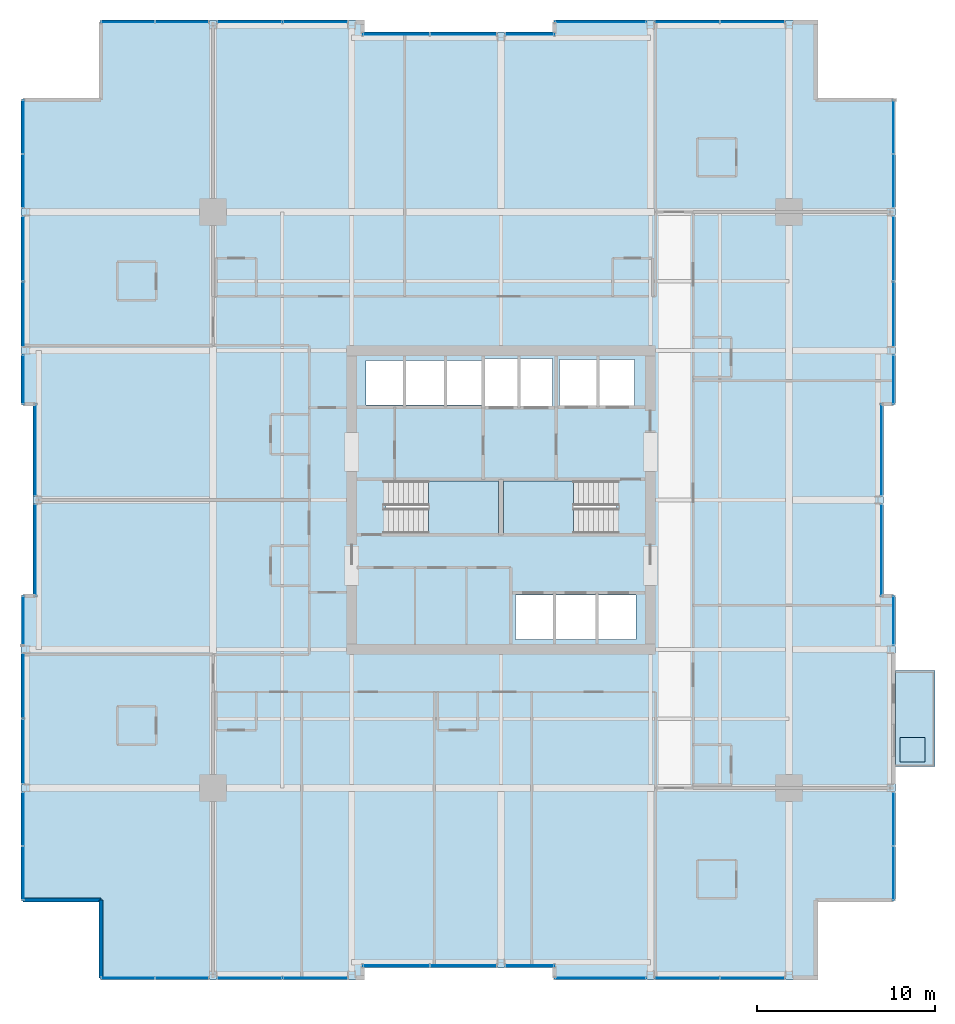
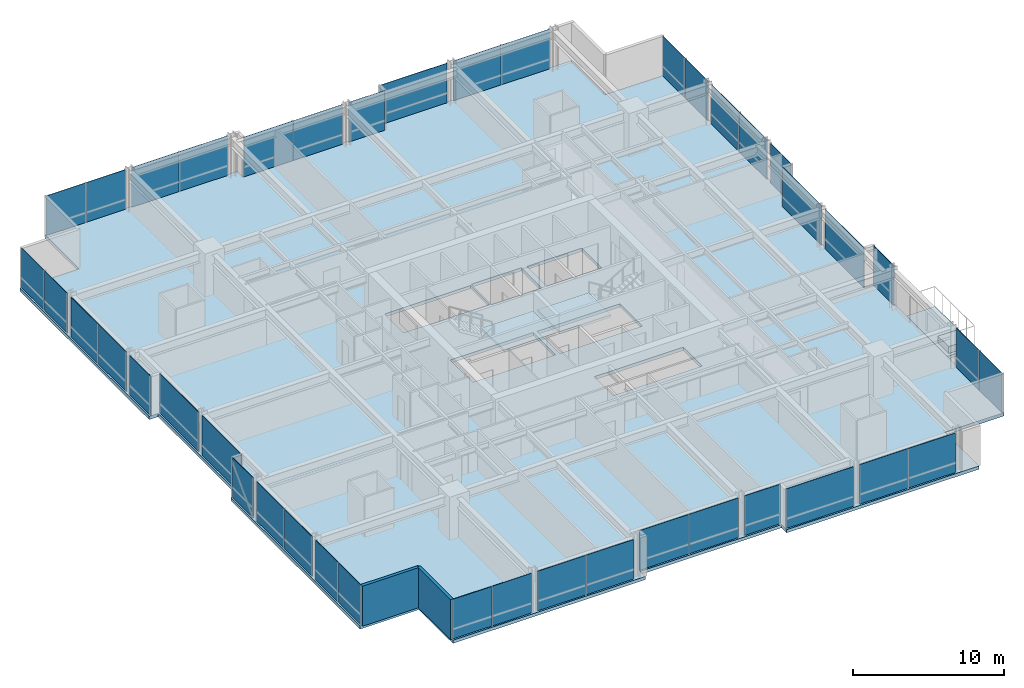
# One storey, part 27 of 34: 42 plates, 5 slabs, 2 walls, 29 elements without a shape of their own.
"""IFC4 building model written with IfcOpenShell, lengths in metres."""

from ifc_helpers import new_model, si_unit, direction, frame, frame_2d, origin, origin_2d, place, context, subcontext, project, spatial, polyline, rectangle, outline, extrude, material, layer, layer_set, type_object, element, aggregate, save


model = new_model("IFC4")

# Units and contexts
model_context = context("Model", 3, precision=1e-05, world=origin(), true_north=direction((0.0, 1.0)))
body_context = subcontext(model_context, "Body", "Model", "MODEL_VIEW")
ifc_project = project(units=[si_unit("LENGTHUNIT", "METRE"), si_unit("AREAUNIT", "SQUARE_METRE"), si_unit("VOLUMEUNIT", "CUBIC_METRE"), si_unit("PLANEANGLEUNIT", "RADIAN"), si_unit("MASSUNIT", "GRAM", prefix="KILO")], contexts=[model_context])

# Site, building, storey
site_placement = place(None, origin())
site = spatial("IfcSite", under=ifc_project, at=site_placement, CompositionType="ELEMENT")
building_placement = place(site_placement, origin())
building = spatial("IfcBuilding", under=site, at=building_placement, Name="Drelvath Grand Hotel", CompositionType="ELEMENT")
storey_placement = place(building_placement, frame((0.0, 0.0, 112.800048828125)))
storey = spatial("IfcBuildingStorey", under=building, at=storey_placement, Name="L28", CompositionType="ELEMENT", Elevation=112.800048828125)

# Slabs
ifc_material_1 = material(Name="Concrete f'c 40 MPa", Category="concrete")
ifc_layer_1 = layer(ifc_material_1, 0.239990234375)
ifc_layer_set_1 = layer_set([ifc_layer_1], Name="Concrete f'c 40 MPa")
slab_type_1 = type_object("IfcSlabType", Name="Cantilevered Tree Balcony Slab 240", PredefinedType="FLOOR", material=ifc_layer_set_1)
slab_1_placement = place(storey_placement, frame((0.0, 0.0, -0.239990234375)))
element("IfcSlab", 1, at=slab_1_placement, inside=storey, type_object=slab_type_1, Name="L28 Cantilevered Tree Balcony Slab 1", PredefinedType="FLOOR", context=body_context, shape_type="SweptSolid", body=[
    extrude(outline(polyline([(22.199951171875, 12.0), (24.39990234375, 12.0), (24.39990234375, 17.39990234375), (22.199951171875, 17.39990234375), (22.199951171875, 12.0)])), origin(), (0.0, 0.0, 1.0), 0.239990234375),
])
ifc_layer_2 = layer(ifc_material_1, 0.260009765625)
ifc_layer_set_2 = layer_set([ifc_layer_2], Name="Concrete f'c 40 MPa")
slab_type_2 = type_object("IfcSlabType", Name="Composite RC Floor Slab 260", PredefinedType="FLOOR", material=ifc_layer_set_2)
slab_2_placement = place(storey_placement, frame((0.0, 0.0, -0.260009765625)))
element("IfcSlab", 2, at=slab_2_placement, inside=storey, type_object=slab_type_2, Name="L28 Structural Floor Slab", PredefinedType="FLOOR", context=body_context, shape_type="SweptSolid", body=[
    extrude(outline(polyline([(-22.5, 0.0), (-7.800048828125, 0.0), (-7.800048828125, 0.679931640625), (3.0, 0.679931640625), (3.0, 0.0), (17.699951171875, 0.0), (17.699951171875, 4.5), (22.199951171875, 4.5), (22.199951171875, 21.60009765625), (21.52001953125, 21.60009765625), (21.52001953125, 32.39990234375), (22.199951171875, 32.39990234375), (22.199951171875, 49.5), (17.699951171875, 49.5), (17.699951171875, 54.0), (3.0, 54.0), (3.0, 53.320068359375), (-7.800048828125, 53.320068359375), (-7.800048828125, 54.0), (-22.5, 54.0), (-22.5, 49.5), (-27.0, 49.5), (-27.0, 32.39990234375), (-26.320068359375, 32.39990234375), (-26.320068359375, 21.60009765625), (-27.0, 21.60009765625), (-27.0, 4.5), (-22.5, 4.5), (-22.5, 0.0)]), holes=[polyline([(-6.47998046875, 25.1201171875), (-6.47998046875, 28.080078125), (-0.14990234375, 28.080078125), (-0.14990234375, 25.1201171875), (-6.47998046875, 25.1201171875)]), polyline([(0.14990234375, 25.1201171875), (0.14990234375, 28.080078125), (6.47998046875, 28.080078125), (6.47998046875, 25.1201171875), (0.14990234375, 25.1201171875)]), polyline([(0.800048828125, 19.14990234375), (0.800048828125, 21.64990234375), (7.60009765625, 21.64990234375), (7.60009765625, 19.14990234375), (0.800048828125, 19.14990234375)]), polyline([(-7.60009765625, 32.35009765625), (-7.60009765625, 34.85009765625), (-1.02001953125, 34.85009765625), (-1.02001953125, 32.35009765625), (-7.60009765625, 32.35009765625)]), polyline([(-0.89990234375, 32.25), (-0.89990234375, 34.949951171875), (2.89990234375, 34.949951171875), (2.89990234375, 32.25), (-0.89990234375, 32.25)]), polyline([(3.300048828125, 32.300048828125), (3.300048828125, 34.89990234375), (7.5, 34.89990234375), (7.5, 32.300048828125), (3.300048828125, 32.300048828125)])]), origin(), (0.0, 0.0, 1.0), 0.260009765625),
])

# Stair, slab
ifc_material_2 = material(Name="Concrete C40/50", Category="concrete")
stair_type = type_object("IfcStairType", Name="Dogleg Exit Stair W1400-R175.0", PredefinedType="HALF_TURN_STAIR", material=ifc_material_2)
stair_1_placement = place(storey_placement, origin())
stair_1 = element("IfcStair", 3, at=stair_1_placement, inside=storey, type_object=stair_type, Name="L28 Core Exit Stair ST-1", PredefinedType="HALF_TURN_STAIR")
ifc_layer_3 = layer(ifc_material_2, 0.199951171875)
ifc_layer_set_3 = layer_set([ifc_layer_3], Name="Concrete C40/50")
slab_type_3 = type_object("IfcSlabType", Name="Concrete Stair Landing Slab 200", PredefinedType="LANDING", material=ifc_layer_set_3)
slab_3_placement = place(storey_placement, frame((0.0, 0.0, 1.550048828125)))
slab_3 = element("IfcSlab", 4, at=slab_3_placement, type_object=slab_type_3, Name="ST-1 landing 1", PredefinedType="LANDING", context=body_context, shape_type="SweptSolid", body=[
    extrude(outline(polyline([(-4.080078125, 25.1201171875), (-0.14990234375, 25.1201171875), (-0.14990234375, 28.080078125), (-4.080078125, 28.080078125), (-4.080078125, 25.1201171875)])), origin(), (0.0, 0.0, 1.0), 0.199951171875),
])
aggregate(stair_1, [slab_3])

stair_2_placement = place(storey_placement, origin())
stair_2 = element("IfcStair", 5, at=stair_2_placement, inside=storey, type_object=stair_type, Name="L28 Core Exit Stair ST-2", PredefinedType="HALF_TURN_STAIR")
slab_4_placement = place(storey_placement, frame((0.0, 0.0, 1.550048828125)))
slab_4 = element("IfcSlab", 6, at=slab_4_placement, type_object=slab_type_3, Name="ST-2 landing 1", PredefinedType="LANDING", context=body_context, shape_type="SweptSolid", body=[
    extrude(outline(polyline([(4.080078125, 28.080078125), (0.14990234375, 28.080078125), (0.14990234375, 25.1201171875), (4.080078125, 25.1201171875), (4.080078125, 28.080078125)])), origin(), (0.0, 0.0, 1.0), 0.199951171875),
])
aggregate(stair_2, [slab_4])

# Curtain wall, plates
ifc_material_3 = material(Name="Champagne Bronze Anodised Aluminium Frame", Category="aluminium")
ifc_layer_4 = layer(ifc_material_3, 0.199951171875)
ifc_layer_set_4 = layer_set([ifc_layer_4], Name="Champagne Bronze Anodised Aluminium Frame")
curtain_wall_type = type_object("IfcCurtainWallType", Name="Stick Curtain Wall CW-03 Champagne Bronze Mid-Rise", PredefinedType="NOTDEFINED", material=ifc_layer_set_4)
curtain_wall_1_placement = place(storey_placement, origin())
curtain_wall_1 = element("IfcCurtainWall", 7, at=curtain_wall_1_placement, inside=storey, type_object=curtain_wall_type, Name="L28 CW-03 Curtain Wall CW03-L28-WS1", PredefinedType="NOTDEFINED")
ifc_material_4 = material(Name="Low-E Triple Silver Vision Glass Neutral", Category="glass")
ifc_layer_5 = layer(ifc_material_4, 0.035888671875)
ifc_layer_set_5 = layer_set([ifc_layer_5], Name="Low-E Triple Silver Vision Glass Neutral")
plate_type = type_object("IfcPlateType", Name="Curtain Wall Vision Panel CW-03 36mm", PredefinedType="CURTAIN_PANEL", material=ifc_layer_set_5)
plate_1_placement = place(storey_placement, frame((-26.8798828125, 6.02001953125, 0.02001953125), z_axis=(0.0, 0.0, 1.0), x_axis=(0.0, 1.0, 0.0)))
plate_1 = element("IfcPlate", 8, at=plate_1_placement, type_object=plate_type, Name="CW03-L28-WS1 Glazed Panel 1", PredefinedType="CURTAIN_PANEL", context=body_context, shape_type="SweptSolid", body=[
    extrude(rectangle(XDim=3.000244140625, YDim=0.035888671875, at=origin_2d()), origin(), (0.0, 0.0, 1.0), 3.199951171875),
])
plate_2_placement = place(storey_placement, frame((-26.8798828125, 9.060302734375, 0.02001953125), z_axis=(0.0, 0.0, 1.0), x_axis=(0.0, 1.0, 0.0)))
plate_2 = element("IfcPlate", 9, at=plate_2_placement, type_object=plate_type, Name="CW03-L28-WS1 Glazed Panel 2", PredefinedType="CURTAIN_PANEL", context=body_context, shape_type="SweptSolid", body=[
    extrude(rectangle(XDim=3.000244140625, YDim=0.035888671875, at=origin_2d()), origin(), (0.0, 0.0, 1.0), 3.199951171875),
])
aggregate(curtain_wall_1, [plate_1, plate_2])

curtain_wall_2_placement = place(storey_placement, origin())
curtain_wall_2 = element("IfcCurtainWall", 10, at=curtain_wall_2_placement, inside=storey, type_object=curtain_wall_type, Name="L28 CW-03 Curtain Wall CW03-L28-WS2", PredefinedType="NOTDEFINED")
plate_3_placement = place(storey_placement, frame((-26.8798828125, 12.85986328125, 0.02001953125), z_axis=(0.0, 0.0, 1.0), x_axis=(0.0, 1.0, 0.0)))
plate_3 = element("IfcPlate", 11, at=plate_3_placement, type_object=plate_type, Name="CW03-L28-WS2 Glazed Panel 1", PredefinedType="CURTAIN_PANEL", context=body_context, shape_type="SweptSolid", body=[
    extrude(rectangle(XDim=3.640380859375, YDim=0.035888671875, at=origin_2d()), origin(), (0.0, 0.0, 1.0), 3.199951171875),
])
plate_4_placement = place(storey_placement, frame((-26.8798828125, 16.540283203125, 0.02001953125), z_axis=(0.0, 0.0, 1.0), x_axis=(0.0, 1.0, 0.0)))
plate_4 = element("IfcPlate", 12, at=plate_4_placement, type_object=plate_type, Name="CW03-L28-WS2 Glazed Panel 2", PredefinedType="CURTAIN_PANEL", context=body_context, shape_type="SweptSolid", body=[
    extrude(rectangle(XDim=3.640380859375, YDim=0.035888671875, at=origin_2d()), origin(), (0.0, 0.0, 1.0), 3.199951171875),
])
aggregate(curtain_wall_2, [plate_3, plate_4])

# Curtain wall, plate
curtain_wall_3_placement = place(storey_placement, origin())
curtain_wall_3 = element("IfcCurtainWall", 13, at=curtain_wall_3_placement, inside=storey, type_object=curtain_wall_type, Name="L28 CW-03 Curtain Wall CW03-L28-WS3", PredefinedType="NOTDEFINED")
plate_5_placement = place(storey_placement, frame((-26.8798828125, 20.209716796875, 0.02001953125), z_axis=(0.0, 0.0, 1.0), x_axis=(0.0, 1.0, 0.0)))
plate_5 = element("IfcPlate", 14, at=plate_5_placement, type_object=plate_type, Name="CW03-L28-WS3 Glazed Panel 1", PredefinedType="CURTAIN_PANEL", context=body_context, shape_type="SweptSolid", body=[
    extrude(rectangle(XDim=2.740478515625, YDim=0.035888671875, at=origin_2d()), origin(), (0.0, 0.0, 1.0), 3.199951171875),
])
aggregate(curtain_wall_3, [plate_5])

curtain_wall_4_placement = place(storey_placement, origin())
curtain_wall_4 = element("IfcCurtainWall", 15, at=curtain_wall_4_placement, inside=storey, type_object=curtain_wall_type, Name="L28 CW-03 Curtain Wall CW03-L28-WM1", PredefinedType="NOTDEFINED")
plate_6_placement = place(storey_placement, frame((-26.199951171875, 24.190185546875, 0.02001953125), z_axis=(0.0, 0.0, 1.0), x_axis=(0.0, 1.0, 0.0)))
plate_6 = element("IfcPlate", 16, at=plate_6_placement, type_object=plate_type, Name="CW03-L28-WM1 Glazed Panel 1", PredefinedType="CURTAIN_PANEL", context=body_context, shape_type="SweptSolid", body=[
    extrude(rectangle(XDim=5.140380859375, YDim=0.035888671875, at=origin_2d()), origin(), (0.0, 0.0, 1.0), 3.199951171875),
])
aggregate(curtain_wall_4, [plate_6])

curtain_wall_5_placement = place(storey_placement, origin())
curtain_wall_5 = element("IfcCurtainWall", 17, at=curtain_wall_5_placement, inside=storey, type_object=curtain_wall_type, Name="L28 CW-03 Curtain Wall CW03-L28-WM2", PredefinedType="NOTDEFINED")
plate_7_placement = place(storey_placement, frame((-26.199951171875, 29.809814453125, 0.02001953125), z_axis=(0.0, 0.0, 1.0), x_axis=(0.0, 1.0, 0.0)))
plate_7 = element("IfcPlate", 18, at=plate_7_placement, type_object=plate_type, Name="CW03-L28-WM2 Glazed Panel 1", PredefinedType="CURTAIN_PANEL", context=body_context, shape_type="SweptSolid", body=[
    extrude(rectangle(XDim=5.140380859375, YDim=0.035888671875, at=origin_2d()), origin(), (0.0, 0.0, 1.0), 3.199951171875),
])
aggregate(curtain_wall_5, [plate_7])

curtain_wall_6_placement = place(storey_placement, origin())
curtain_wall_6 = element("IfcCurtainWall", 19, at=curtain_wall_6_placement, inside=storey, type_object=curtain_wall_type, Name="L28 CW-03 Curtain Wall CW03-L28-WN1", PredefinedType="NOTDEFINED")
plate_8_placement = place(storey_placement, frame((-26.8798828125, 33.790283203125, 0.02001953125), z_axis=(0.0, 0.0, 1.0), x_axis=(0.0, 1.0, 0.0)))
plate_8 = element("IfcPlate", 20, at=plate_8_placement, type_object=plate_type, Name="CW03-L28-WN1 Glazed Panel 1", PredefinedType="CURTAIN_PANEL", context=body_context, shape_type="SweptSolid", body=[
    extrude(rectangle(XDim=2.740478515625, YDim=0.035888671875, at=origin_2d()), origin(), (0.0, 0.0, 1.0), 3.199951171875),
])
aggregate(curtain_wall_6, [plate_8])

# Curtain wall, plates
curtain_wall_7_placement = place(storey_placement, origin())
curtain_wall_7 = element("IfcCurtainWall", 21, at=curtain_wall_7_placement, inside=storey, type_object=curtain_wall_type, Name="L28 CW-03 Curtain Wall CW03-L28-WN2", PredefinedType="NOTDEFINED")
plate_9_placement = place(storey_placement, frame((-26.8798828125, 37.459716796875, 0.02001953125), z_axis=(0.0, 0.0, 1.0), x_axis=(0.0, 1.0, 0.0)))
plate_9 = element("IfcPlate", 22, at=plate_9_placement, type_object=plate_type, Name="CW03-L28-WN2 Glazed Panel 1", PredefinedType="CURTAIN_PANEL", context=body_context, shape_type="SweptSolid", body=[
    extrude(rectangle(XDim=3.640380859375, YDim=0.035888671875, at=origin_2d()), origin(), (0.0, 0.0, 1.0), 3.199951171875),
])
plate_10_placement = place(storey_placement, frame((-26.8798828125, 41.14013671875, 0.02001953125), z_axis=(0.0, 0.0, 1.0), x_axis=(0.0, 1.0, 0.0)))
plate_10 = element("IfcPlate", 23, at=plate_10_placement, type_object=plate_type, Name="CW03-L28-WN2 Glazed Panel 2", PredefinedType="CURTAIN_PANEL", context=body_context, shape_type="SweptSolid", body=[
    extrude(rectangle(XDim=3.640380859375, YDim=0.035888671875, at=origin_2d()), origin(), (0.0, 0.0, 1.0), 3.199951171875),
])
aggregate(curtain_wall_7, [plate_9, plate_10])

curtain_wall_8_placement = place(storey_placement, origin())
curtain_wall_8 = element("IfcCurtainWall", 24, at=curtain_wall_8_placement, inside=storey, type_object=curtain_wall_type, Name="L28 CW-03 Curtain Wall CW03-L28-WN3", PredefinedType="NOTDEFINED")
plate_11_placement = place(storey_placement, frame((-26.8798828125, 44.939697265625, 0.02001953125), z_axis=(0.0, 0.0, 1.0), x_axis=(0.0, 1.0, 0.0)))
plate_11 = element("IfcPlate", 25, at=plate_11_placement, type_object=plate_type, Name="CW03-L28-WN3 Glazed Panel 1", PredefinedType="CURTAIN_PANEL", context=body_context, shape_type="SweptSolid", body=[
    extrude(rectangle(XDim=3.000244140625, YDim=0.035888671875, at=origin_2d()), origin(), (0.0, 0.0, 1.0), 3.199951171875),
])
plate_12_placement = place(storey_placement, frame((-26.8798828125, 47.97998046875, 0.02001953125), z_axis=(0.0, 0.0, 1.0), x_axis=(0.0, 1.0, 0.0)))
plate_12 = element("IfcPlate", 26, at=plate_12_placement, type_object=plate_type, Name="CW03-L28-WN3 Glazed Panel 2", PredefinedType="CURTAIN_PANEL", context=body_context, shape_type="SweptSolid", body=[
    extrude(rectangle(XDim=3.000244140625, YDim=0.035888671875, at=origin_2d()), origin(), (0.0, 0.0, 1.0), 3.199951171875),
])
aggregate(curtain_wall_8, [plate_11, plate_12])

# Curtain wall, plate
curtain_wall_9_placement = place(storey_placement, origin())
curtain_wall_9 = element("IfcCurtainWall", 27, at=curtain_wall_9_placement, inside=storey, type_object=curtain_wall_type, Name="L28 CW-03 Curtain Wall CW03-L28-EN1", PredefinedType="NOTDEFINED")
plate_13_placement = place(storey_placement, frame((22.080078125, 33.790283203125, 0.02001953125), z_axis=(0.0, 0.0, 1.0), x_axis=(0.0, -1.0, 0.0)))
plate_13 = element("IfcPlate", 28, at=plate_13_placement, type_object=plate_type, Name="CW03-L28-EN1 Glazed Panel 1", PredefinedType="CURTAIN_PANEL", context=body_context, shape_type="SweptSolid", body=[
    extrude(rectangle(XDim=2.740478515625, YDim=0.035888671875, at=origin_2d()), origin(), (0.0, 0.0, 1.0), 3.199951171875),
])
aggregate(curtain_wall_9, [plate_13])

# Curtain wall, plates
curtain_wall_10_placement = place(storey_placement, origin())
curtain_wall_10 = element("IfcCurtainWall", 29, at=curtain_wall_10_placement, inside=storey, type_object=curtain_wall_type, Name="L28 CW-03 Curtain Wall CW03-L28-EN2", PredefinedType="NOTDEFINED")
plate_14_placement = place(storey_placement, frame((22.080078125, 41.14013671875, 0.02001953125), z_axis=(0.0, 0.0, 1.0), x_axis=(0.0, -1.0, 0.0)))
plate_14 = element("IfcPlate", 30, at=plate_14_placement, type_object=plate_type, Name="CW03-L28-EN2 Glazed Panel 1", PredefinedType="CURTAIN_PANEL", context=body_context, shape_type="SweptSolid", body=[
    extrude(rectangle(XDim=3.640380859375, YDim=0.035888671875, at=origin_2d()), origin(), (0.0, 0.0, 1.0), 3.199951171875),
])
plate_15_placement = place(storey_placement, frame((22.080078125, 37.459716796875, 0.02001953125), z_axis=(0.0, 0.0, 1.0), x_axis=(0.0, -1.0, 0.0)))
plate_15 = element("IfcPlate", 31, at=plate_15_placement, type_object=plate_type, Name="CW03-L28-EN2 Glazed Panel 2", PredefinedType="CURTAIN_PANEL", context=body_context, shape_type="SweptSolid", body=[
    extrude(rectangle(XDim=3.640380859375, YDim=0.035888671875, at=origin_2d()), origin(), (0.0, 0.0, 1.0), 3.199951171875),
])
aggregate(curtain_wall_10, [plate_14, plate_15])

curtain_wall_11_placement = place(storey_placement, origin())
curtain_wall_11 = element("IfcCurtainWall", 32, at=curtain_wall_11_placement, inside=storey, type_object=curtain_wall_type, Name="L28 CW-03 Curtain Wall CW03-L28-EN3", PredefinedType="NOTDEFINED")
plate_16_placement = place(storey_placement, frame((22.080078125, 47.97998046875, 0.02001953125), z_axis=(0.0, 0.0, 1.0), x_axis=(0.0, -1.0, 0.0)))
plate_16 = element("IfcPlate", 33, at=plate_16_placement, type_object=plate_type, Name="CW03-L28-EN3 Glazed Panel 1", PredefinedType="CURTAIN_PANEL", context=body_context, shape_type="SweptSolid", body=[
    extrude(rectangle(XDim=3.000244140625, YDim=0.035888671875, at=origin_2d()), origin(), (0.0, 0.0, 1.0), 3.199951171875),
])
plate_17_placement = place(storey_placement, frame((22.080078125, 44.939697265625, 0.02001953125), z_axis=(0.0, 0.0, 1.0), x_axis=(0.0, -1.0, 0.0)))
plate_17 = element("IfcPlate", 34, at=plate_17_placement, type_object=plate_type, Name="CW03-L28-EN3 Glazed Panel 2", PredefinedType="CURTAIN_PANEL", context=body_context, shape_type="SweptSolid", body=[
    extrude(rectangle(XDim=3.000244140625, YDim=0.035888671875, at=origin_2d()), origin(), (0.0, 0.0, 1.0), 3.199951171875),
])
aggregate(curtain_wall_11, [plate_16, plate_17])

# Curtain wall, plate
curtain_wall_12_placement = place(storey_placement, origin())
curtain_wall_12 = element("IfcCurtainWall", 35, at=curtain_wall_12_placement, inside=storey, type_object=curtain_wall_type, Name="L28 CW-03 Curtain Wall CW03-L28-EM1", PredefinedType="NOTDEFINED")
plate_18_placement = place(storey_placement, frame((21.39990234375, 24.190185546875, 0.02001953125), z_axis=(0.0, 0.0, 1.0), x_axis=(0.0, -1.0, 0.0)))
plate_18 = element("IfcPlate", 36, at=plate_18_placement, type_object=plate_type, Name="CW03-L28-EM1 Glazed Panel 1", PredefinedType="CURTAIN_PANEL", context=body_context, shape_type="SweptSolid", body=[
    extrude(rectangle(XDim=5.140380859375, YDim=0.035888671875, at=origin_2d()), origin(), (0.0, 0.0, 1.0), 3.199951171875),
])
aggregate(curtain_wall_12, [plate_18])

curtain_wall_13_placement = place(storey_placement, origin())
curtain_wall_13 = element("IfcCurtainWall", 37, at=curtain_wall_13_placement, inside=storey, type_object=curtain_wall_type, Name="L28 CW-03 Curtain Wall CW03-L28-EM2", PredefinedType="NOTDEFINED")
plate_19_placement = place(storey_placement, frame((21.39990234375, 29.809814453125, 0.02001953125), z_axis=(0.0, 0.0, 1.0), x_axis=(0.0, -1.0, 0.0)))
plate_19 = element("IfcPlate", 38, at=plate_19_placement, type_object=plate_type, Name="CW03-L28-EM2 Glazed Panel 1", PredefinedType="CURTAIN_PANEL", context=body_context, shape_type="SweptSolid", body=[
    extrude(rectangle(XDim=5.140380859375, YDim=0.035888671875, at=origin_2d()), origin(), (0.0, 0.0, 1.0), 3.199951171875),
])
aggregate(curtain_wall_13, [plate_19])

# Curtain wall, plates
curtain_wall_14_placement = place(storey_placement, origin())
curtain_wall_14 = element("IfcCurtainWall", 39, at=curtain_wall_14_placement, inside=storey, type_object=curtain_wall_type, Name="L28 CW-03 Curtain Wall CW03-L28-ES1", PredefinedType="NOTDEFINED")
plate_20_placement = place(storey_placement, frame((22.080078125, 9.060302734375, 0.02001953125), z_axis=(0.0, 0.0, 1.0), x_axis=(0.0, -1.0, 0.0)))
plate_20 = element("IfcPlate", 40, at=plate_20_placement, type_object=plate_type, Name="CW03-L28-ES1 Glazed Panel 1", PredefinedType="CURTAIN_PANEL", context=body_context, shape_type="SweptSolid", body=[
    extrude(rectangle(XDim=3.000244140625, YDim=0.035888671875, at=origin_2d()), origin(), (0.0, 0.0, 1.0), 3.199951171875),
])
plate_21_placement = place(storey_placement, frame((22.080078125, 6.02001953125, 0.02001953125), z_axis=(0.0, 0.0, 1.0), x_axis=(0.0, -1.0, 0.0)))
plate_21 = element("IfcPlate", 41, at=plate_21_placement, type_object=plate_type, Name="CW03-L28-ES1 Glazed Panel 2", PredefinedType="CURTAIN_PANEL", context=body_context, shape_type="SweptSolid", body=[
    extrude(rectangle(XDim=3.000244140625, YDim=0.035888671875, at=origin_2d()), origin(), (0.0, 0.0, 1.0), 3.199951171875),
])
aggregate(curtain_wall_14, [plate_20, plate_21])

# Curtain wall, plate
curtain_wall_15_placement = place(storey_placement, origin())
curtain_wall_15 = element("IfcCurtainWall", 42, at=curtain_wall_15_placement, inside=storey, type_object=curtain_wall_type, Name="L28 CW-03 Curtain Wall CW03-L28-ES3", PredefinedType="NOTDEFINED")
plate_22_placement = place(storey_placement, frame((22.080078125, 20.209716796875, 0.02001953125), z_axis=(0.0, 0.0, 1.0), x_axis=(0.0, -1.0, 0.0)))
plate_22 = element("IfcPlate", 43, at=plate_22_placement, type_object=plate_type, Name="CW03-L28-ES3 Glazed Panel 1", PredefinedType="CURTAIN_PANEL", context=body_context, shape_type="SweptSolid", body=[
    extrude(rectangle(XDim=2.740478515625, YDim=0.035888671875, at=origin_2d()), origin(), (0.0, 0.0, 1.0), 3.199951171875),
])
aggregate(curtain_wall_15, [plate_22])

# Curtain wall, plates
curtain_wall_16_placement = place(storey_placement, origin())
curtain_wall_16 = element("IfcCurtainWall", 44, at=curtain_wall_16_placement, inside=storey, type_object=curtain_wall_type, Name="L28 CW-03 Curtain Wall CW03-L28-NW1", PredefinedType="NOTDEFINED")
plate_23_placement = place(storey_placement, frame((-20.97998046875, 53.8798828125, 0.02001953125), z_axis=(0.0, 0.0, 1.0), x_axis=(1.0, 0.0, 0.0)))
plate_23 = element("IfcPlate", 45, at=plate_23_placement, type_object=plate_type, Name="CW03-L28-NW1 Glazed Panel 1", PredefinedType="CURTAIN_PANEL", context=body_context, shape_type="SweptSolid", body=[
    extrude(rectangle(XDim=3.000244140625, YDim=0.035888671875, at=origin_2d()), origin(), (0.0, 0.0, 1.0), 3.199951171875),
])
plate_24_placement = place(storey_placement, frame((-17.939697265625, 53.8798828125, 0.02001953125), z_axis=(0.0, 0.0, 1.0), x_axis=(1.0, 0.0, 0.0)))
plate_24 = element("IfcPlate", 46, at=plate_24_placement, type_object=plate_type, Name="CW03-L28-NW1 Glazed Panel 2", PredefinedType="CURTAIN_PANEL", context=body_context, shape_type="SweptSolid", body=[
    extrude(rectangle(XDim=3.000244140625, YDim=0.035888671875, at=origin_2d()), origin(), (0.0, 0.0, 1.0), 3.199951171875),
])
aggregate(curtain_wall_16, [plate_23, plate_24])

curtain_wall_17_placement = place(storey_placement, origin())
curtain_wall_17 = element("IfcCurtainWall", 47, at=curtain_wall_17_placement, inside=storey, type_object=curtain_wall_type, Name="L28 CW-03 Curtain Wall CW03-L28-NW2", PredefinedType="NOTDEFINED")
plate_25_placement = place(storey_placement, frame((-14.14013671875, 53.8798828125, 0.02001953125), z_axis=(0.0, 0.0, 1.0), x_axis=(1.0, 0.0, 0.0)))
plate_25 = element("IfcPlate", 48, at=plate_25_placement, type_object=plate_type, Name="CW03-L28-NW2 Glazed Panel 1", PredefinedType="CURTAIN_PANEL", context=body_context, shape_type="SweptSolid", body=[
    extrude(rectangle(XDim=3.640380859375, YDim=0.035888671875, at=origin_2d()), origin(), (0.0, 0.0, 1.0), 3.199951171875),
])
plate_26_placement = place(storey_placement, frame((-10.459716796875, 53.8798828125, 0.02001953125), z_axis=(0.0, 0.0, 1.0), x_axis=(1.0, 0.0, 0.0)))
plate_26 = element("IfcPlate", 49, at=plate_26_placement, type_object=plate_type, Name="CW03-L28-NW2 Glazed Panel 2", PredefinedType="CURTAIN_PANEL", context=body_context, shape_type="SweptSolid", body=[
    extrude(rectangle(XDim=3.640380859375, YDim=0.035888671875, at=origin_2d()), origin(), (0.0, 0.0, 1.0), 3.199951171875),
])
aggregate(curtain_wall_17, [plate_25, plate_26])

curtain_wall_18_placement = place(storey_placement, origin())
curtain_wall_18 = element("IfcCurtainWall", 50, at=curtain_wall_18_placement, inside=storey, type_object=curtain_wall_type, Name="L28 CW-03 Curtain Wall CW03-L28-NM1", PredefinedType="NOTDEFINED")
plate_27_placement = place(storey_placement, frame((-5.90478515625, 53.199951171875, 0.02001953125), z_axis=(0.0, 0.0, 1.0), x_axis=(1.0, 0.0, 0.0)))
plate_27 = element("IfcPlate", 51, at=plate_27_placement, type_object=plate_type, Name="CW03-L28-NM1 Glazed Panel 1", PredefinedType="CURTAIN_PANEL", context=body_context, shape_type="SweptSolid", body=[
    extrude(rectangle(XDim=3.750244140625, YDim=0.035888671875, at=origin_2d()), origin(), (0.0, 0.0, 1.0), 3.199951171875),
])
plate_28_placement = place(storey_placement, frame((-2.11474609375, 53.199951171875, 0.02001953125), z_axis=(0.0, 0.0, 1.0), x_axis=(1.0, 0.0, 0.0)))
plate_28 = element("IfcPlate", 52, at=plate_28_placement, type_object=plate_type, Name="CW03-L28-NM1 Glazed Panel 2", PredefinedType="CURTAIN_PANEL", context=body_context, shape_type="SweptSolid", body=[
    extrude(rectangle(XDim=3.750244140625, YDim=0.035888671875, at=origin_2d()), origin(), (0.0, 0.0, 1.0), 3.199951171875),
])
aggregate(curtain_wall_18, [plate_27, plate_28])

# Curtain wall, plate
curtain_wall_19_placement = place(storey_placement, origin())
curtain_wall_19 = element("IfcCurtainWall", 53, at=curtain_wall_19_placement, inside=storey, type_object=curtain_wall_type, Name="L28 CW-03 Curtain Wall CW03-L28-NM2", PredefinedType="NOTDEFINED")
plate_29_placement = place(storey_placement, frame((1.60986328125, 53.199951171875, 0.02001953125), z_axis=(0.0, 0.0, 1.0), x_axis=(1.0, 0.0, 0.0)))
plate_29 = element("IfcPlate", 54, at=plate_29_placement, type_object=plate_type, Name="CW03-L28-NM2 Glazed Panel 1", PredefinedType="CURTAIN_PANEL", context=body_context, shape_type="SweptSolid", body=[
    extrude(rectangle(XDim=2.740478515625, YDim=0.035888671875, at=origin_2d()), origin(), (0.0, 0.0, 1.0), 3.199951171875),
])
aggregate(curtain_wall_19, [plate_29])

curtain_wall_20_placement = place(storey_placement, origin())
curtain_wall_20 = element("IfcCurtainWall", 55, at=curtain_wall_20_placement, inside=storey, type_object=curtain_wall_type, Name="L28 CW-03 Curtain Wall CW03-L28-NE1", PredefinedType="NOTDEFINED")
plate_30_placement = place(storey_placement, frame((5.590087890625, 53.8798828125, 0.02001953125), z_axis=(0.0, 0.0, 1.0), x_axis=(1.0, 0.0, 0.0)))
plate_30 = element("IfcPlate", 56, at=plate_30_placement, type_object=plate_type, Name="CW03-L28-NE1 Glazed Panel 1", PredefinedType="CURTAIN_PANEL", context=body_context, shape_type="SweptSolid", body=[
    extrude(rectangle(XDim=5.140380859375, YDim=0.035888671875, at=origin_2d()), origin(), (0.0, 0.0, 1.0), 3.199951171875),
])
aggregate(curtain_wall_20, [plate_30])

# Curtain wall, plates
curtain_wall_21_placement = place(storey_placement, origin())
curtain_wall_21 = element("IfcCurtainWall", 57, at=curtain_wall_21_placement, inside=storey, type_object=curtain_wall_type, Name="L28 CW-03 Curtain Wall CW03-L28-NE2", PredefinedType="NOTDEFINED")
plate_31_placement = place(storey_placement, frame((10.459716796875, 53.8798828125, 0.02001953125), z_axis=(0.0, 0.0, 1.0), x_axis=(1.0, 0.0, 0.0)))
plate_31 = element("IfcPlate", 58, at=plate_31_placement, type_object=plate_type, Name="CW03-L28-NE2 Glazed Panel 1", PredefinedType="CURTAIN_PANEL", context=body_context, shape_type="SweptSolid", body=[
    extrude(rectangle(XDim=3.640380859375, YDim=0.035888671875, at=origin_2d()), origin(), (0.0, 0.0, 1.0), 3.199951171875),
])
plate_32_placement = place(storey_placement, frame((14.14013671875, 53.8798828125, 0.02001953125), z_axis=(0.0, 0.0, 1.0), x_axis=(1.0, 0.0, 0.0)))
plate_32 = element("IfcPlate", 59, at=plate_32_placement, type_object=plate_type, Name="CW03-L28-NE2 Glazed Panel 2", PredefinedType="CURTAIN_PANEL", context=body_context, shape_type="SweptSolid", body=[
    extrude(rectangle(XDim=3.640380859375, YDim=0.035888671875, at=origin_2d()), origin(), (0.0, 0.0, 1.0), 3.199951171875),
])
aggregate(curtain_wall_21, [plate_31, plate_32])

# Curtain wall, plate
curtain_wall_22_placement = place(storey_placement, origin())
curtain_wall_22 = element("IfcCurtainWall", 60, at=curtain_wall_22_placement, inside=storey, type_object=curtain_wall_type, Name="L28 CW-03 Curtain Wall CW03-L28-SE1", PredefinedType="NOTDEFINED")
plate_33_placement = place(storey_placement, frame((5.590087890625, 0.1201171875, 0.02001953125), z_axis=(0.0, 0.0, 1.0), x_axis=(-1.0, 0.0, 0.0)))
plate_33 = element("IfcPlate", 61, at=plate_33_placement, type_object=plate_type, Name="CW03-L28-SE1 Glazed Panel 1", PredefinedType="CURTAIN_PANEL", context=body_context, shape_type="SweptSolid", body=[
    extrude(rectangle(XDim=5.140380859375, YDim=0.035888671875, at=origin_2d()), origin(), (0.0, 0.0, 1.0), 3.199951171875),
])
aggregate(curtain_wall_22, [plate_33])

# Curtain wall, plates
curtain_wall_23_placement = place(storey_placement, origin())
curtain_wall_23 = element("IfcCurtainWall", 62, at=curtain_wall_23_placement, inside=storey, type_object=curtain_wall_type, Name="L28 CW-03 Curtain Wall CW03-L28-SE2", PredefinedType="NOTDEFINED")
plate_34_placement = place(storey_placement, frame((14.14013671875, 0.1201171875, 0.02001953125), z_axis=(0.0, 0.0, 1.0), x_axis=(-1.0, 0.0, 0.0)))
plate_34 = element("IfcPlate", 63, at=plate_34_placement, type_object=plate_type, Name="CW03-L28-SE2 Glazed Panel 1", PredefinedType="CURTAIN_PANEL", context=body_context, shape_type="SweptSolid", body=[
    extrude(rectangle(XDim=3.640380859375, YDim=0.035888671875, at=origin_2d()), origin(), (0.0, 0.0, 1.0), 3.199951171875),
])
plate_35_placement = place(storey_placement, frame((10.459716796875, 0.1201171875, 0.02001953125), z_axis=(0.0, 0.0, 1.0), x_axis=(-1.0, 0.0, 0.0)))
plate_35 = element("IfcPlate", 64, at=plate_35_placement, type_object=plate_type, Name="CW03-L28-SE2 Glazed Panel 2", PredefinedType="CURTAIN_PANEL", context=body_context, shape_type="SweptSolid", body=[
    extrude(rectangle(XDim=3.640380859375, YDim=0.035888671875, at=origin_2d()), origin(), (0.0, 0.0, 1.0), 3.199951171875),
])
aggregate(curtain_wall_23, [plate_34, plate_35])

curtain_wall_24_placement = place(storey_placement, origin())
curtain_wall_24 = element("IfcCurtainWall", 65, at=curtain_wall_24_placement, inside=storey, type_object=curtain_wall_type, Name="L28 CW-03 Curtain Wall CW03-L28-SM1", PredefinedType="NOTDEFINED")
plate_36_placement = place(storey_placement, frame((-2.11474609375, 0.800048828125, 0.02001953125), z_axis=(0.0, 0.0, 1.0), x_axis=(-1.0, 0.0, 0.0)))
plate_36 = element("IfcPlate", 66, at=plate_36_placement, type_object=plate_type, Name="CW03-L28-SM1 Glazed Panel 1", PredefinedType="CURTAIN_PANEL", context=body_context, shape_type="SweptSolid", body=[
    extrude(rectangle(XDim=3.750244140625, YDim=0.035888671875, at=origin_2d()), origin(), (0.0, 0.0, 1.0), 3.199951171875),
])
plate_37_placement = place(storey_placement, frame((-5.90478515625, 0.800048828125, 0.02001953125), z_axis=(0.0, 0.0, 1.0), x_axis=(-1.0, 0.0, 0.0)))
plate_37 = element("IfcPlate", 67, at=plate_37_placement, type_object=plate_type, Name="CW03-L28-SM1 Glazed Panel 2", PredefinedType="CURTAIN_PANEL", context=body_context, shape_type="SweptSolid", body=[
    extrude(rectangle(XDim=3.750244140625, YDim=0.035888671875, at=origin_2d()), origin(), (0.0, 0.0, 1.0), 3.199951171875),
])
aggregate(curtain_wall_24, [plate_36, plate_37])

# Curtain wall, plate
curtain_wall_25_placement = place(storey_placement, origin())
curtain_wall_25 = element("IfcCurtainWall", 68, at=curtain_wall_25_placement, inside=storey, type_object=curtain_wall_type, Name="L28 CW-03 Curtain Wall CW03-L28-SM2", PredefinedType="NOTDEFINED")
plate_38_placement = place(storey_placement, frame((1.60986328125, 0.800048828125, 0.02001953125), z_axis=(0.0, 0.0, 1.0), x_axis=(-1.0, 0.0, 0.0)))
plate_38 = element("IfcPlate", 69, at=plate_38_placement, type_object=plate_type, Name="CW03-L28-SM2 Glazed Panel 1", PredefinedType="CURTAIN_PANEL", context=body_context, shape_type="SweptSolid", body=[
    extrude(rectangle(XDim=2.740478515625, YDim=0.035888671875, at=origin_2d()), origin(), (0.0, 0.0, 1.0), 3.199951171875),
])
aggregate(curtain_wall_25, [plate_38])

# Curtain wall, plates
curtain_wall_26_placement = place(storey_placement, origin())
curtain_wall_26 = element("IfcCurtainWall", 70, at=curtain_wall_26_placement, inside=storey, type_object=curtain_wall_type, Name="L28 CW-03 Curtain Wall CW03-L28-SW1", PredefinedType="NOTDEFINED")
plate_39_placement = place(storey_placement, frame((-17.939697265625, 0.1201171875, 0.02001953125), z_axis=(0.0, 0.0, 1.0), x_axis=(-1.0, 0.0, 0.0)))
plate_39 = element("IfcPlate", 71, at=plate_39_placement, type_object=plate_type, Name="CW03-L28-SW1 Glazed Panel 1", PredefinedType="CURTAIN_PANEL", context=body_context, shape_type="SweptSolid", body=[
    extrude(rectangle(XDim=3.000244140625, YDim=0.035888671875, at=origin_2d()), origin(), (0.0, 0.0, 1.0), 3.199951171875),
])
plate_40_placement = place(storey_placement, frame((-20.97998046875, 0.1201171875, 0.02001953125), z_axis=(0.0, 0.0, 1.0), x_axis=(-1.0, 0.0, 0.0)))
plate_40 = element("IfcPlate", 72, at=plate_40_placement, type_object=plate_type, Name="CW03-L28-SW1 Glazed Panel 2", PredefinedType="CURTAIN_PANEL", context=body_context, shape_type="SweptSolid", body=[
    extrude(rectangle(XDim=3.000244140625, YDim=0.035888671875, at=origin_2d()), origin(), (0.0, 0.0, 1.0), 3.199951171875),
])
aggregate(curtain_wall_26, [plate_39, plate_40])

curtain_wall_27_placement = place(storey_placement, origin())
curtain_wall_27 = element("IfcCurtainWall", 73, at=curtain_wall_27_placement, inside=storey, type_object=curtain_wall_type, Name="L28 CW-03 Curtain Wall CW03-L28-SW2", PredefinedType="NOTDEFINED")
plate_41_placement = place(storey_placement, frame((-10.459716796875, 0.1201171875, 0.02001953125), z_axis=(0.0, 0.0, 1.0), x_axis=(-1.0, 0.0, 0.0)))
plate_41 = element("IfcPlate", 74, at=plate_41_placement, type_object=plate_type, Name="CW03-L28-SW2 Glazed Panel 1", PredefinedType="CURTAIN_PANEL", context=body_context, shape_type="SweptSolid", body=[
    extrude(rectangle(XDim=3.640380859375, YDim=0.035888671875, at=origin_2d()), origin(), (0.0, 0.0, 1.0), 3.199951171875),
])
plate_42_placement = place(storey_placement, frame((-14.14013671875, 0.1201171875, 0.02001953125), z_axis=(0.0, 0.0, 1.0), x_axis=(-1.0, 0.0, 0.0)))
plate_42 = element("IfcPlate", 75, at=plate_42_placement, type_object=plate_type, Name="CW03-L28-SW2 Glazed Panel 2", PredefinedType="CURTAIN_PANEL", context=body_context, shape_type="SweptSolid", body=[
    extrude(rectangle(XDim=3.640380859375, YDim=0.035888671875, at=origin_2d()), origin(), (0.0, 0.0, 1.0), 3.199951171875),
])
aggregate(curtain_wall_27, [plate_41, plate_42])

# Slab
ifc_layer_6 = layer(ifc_material_1, 0.550048828125)
ifc_layer_set_6 = layer_set([ifc_layer_6], Name="Concrete f'c 40 MPa")
slab_type_4 = type_object("IfcSlabType", Name="Structural Tree Planter Box 550", PredefinedType="USERDEFINED", material=ifc_layer_set_6)
slab_5_placement = place(storey_placement, origin())
element("IfcSlab", 76, at=slab_5_placement, inside=storey, type_object=slab_type_4, Name="L28 Tree Balcony Structural Planter 1", ObjectType="PLANTER", PredefinedType="USERDEFINED", context=body_context, shape_type="SweptSolid", body=[
    extrude(outline(polyline([(22.449951171875, 12.25), (23.85009765625, 12.25), (23.85009765625, 13.64990234375), (22.449951171875, 13.64990234375), (22.449951171875, 12.25)])), origin(), (0.0, 0.0, 1.0), 0.550048828125),
])

# Walls
ifc_material_5 = material(Name="Pale-Metal Insulated Aluminium Spandrel Assembly", Category="aluminium")
ifc_layer_7 = layer(ifc_material_5, 0.239990234375)
ifc_layer_set_7 = layer_set([ifc_layer_7], Name="Pale-Metal Insulated Aluminium Spandrel Assembly")
wall_type = type_object("IfcWallType", Name="Tower Insulated Metal Spandrel Closure Wall 240", PredefinedType="STANDARD", material=ifc_layer_set_7)
for number, where, z_axis, x_axis, name in (
    (77, (-22.5, 0.1201171875, 0.0), (0.0, 0.0, 1.0), (0.0, 1.0, 0.0), "L28 Notched Corner Return Spandrel Wall CSW1"),
    (78, (-22.5, 4.5, 0.0), (0.0, 0.0, 1.0), (-1.0, 0.0, 0.0), "L28 Notched Corner Return Spandrel Wall CSW2"),
):
    element("IfcWall", number, at=place(storey_placement, frame(where, z_axis=z_axis, x_axis=x_axis)), inside=storey, type_object=wall_type, Name=name, PredefinedType="STANDARD", context=body_context, shape_type="SweptSolid", body=[
        extrude(rectangle(XDim=4.3798828125, YDim=0.239990234375, at=frame_2d((2.18994140625, 0.0))), origin(), (0.0, 0.0, 1.0), 3.239990234375),
    ])

save(model, "model.ifc")
